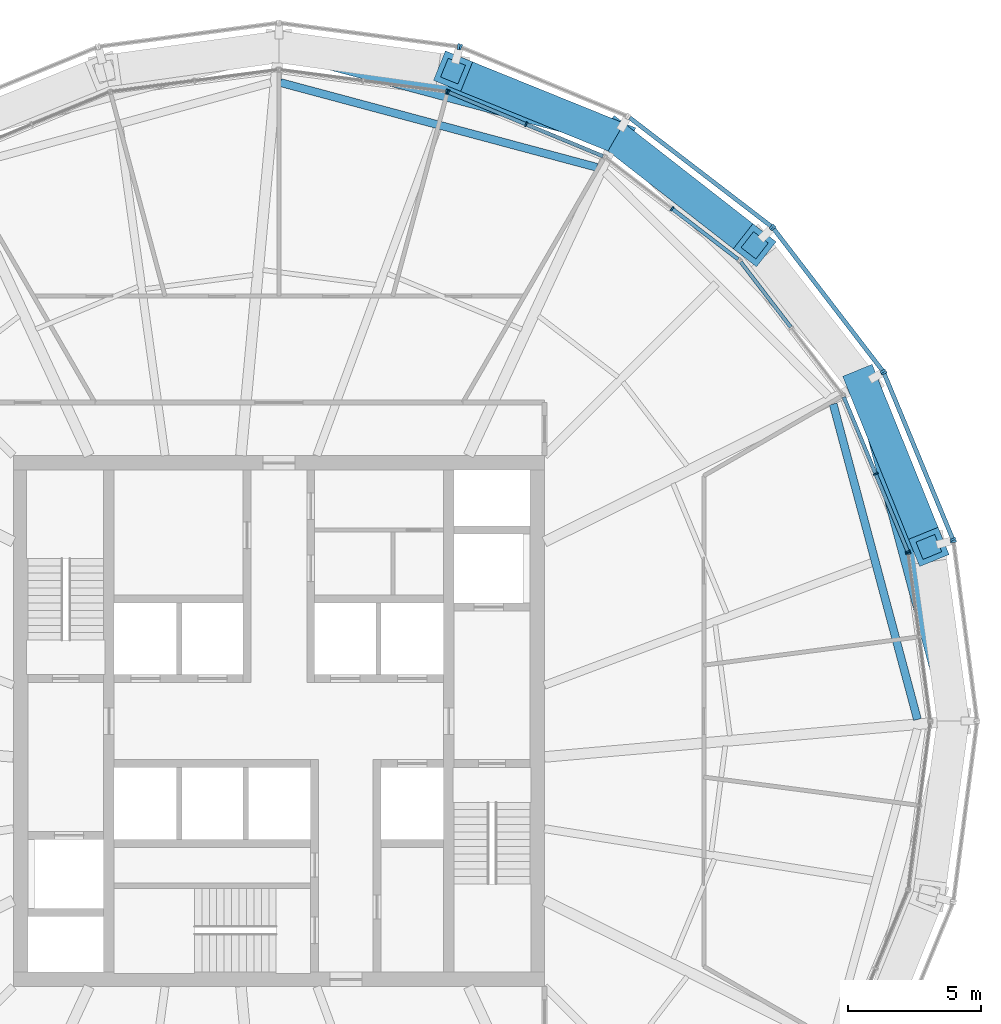
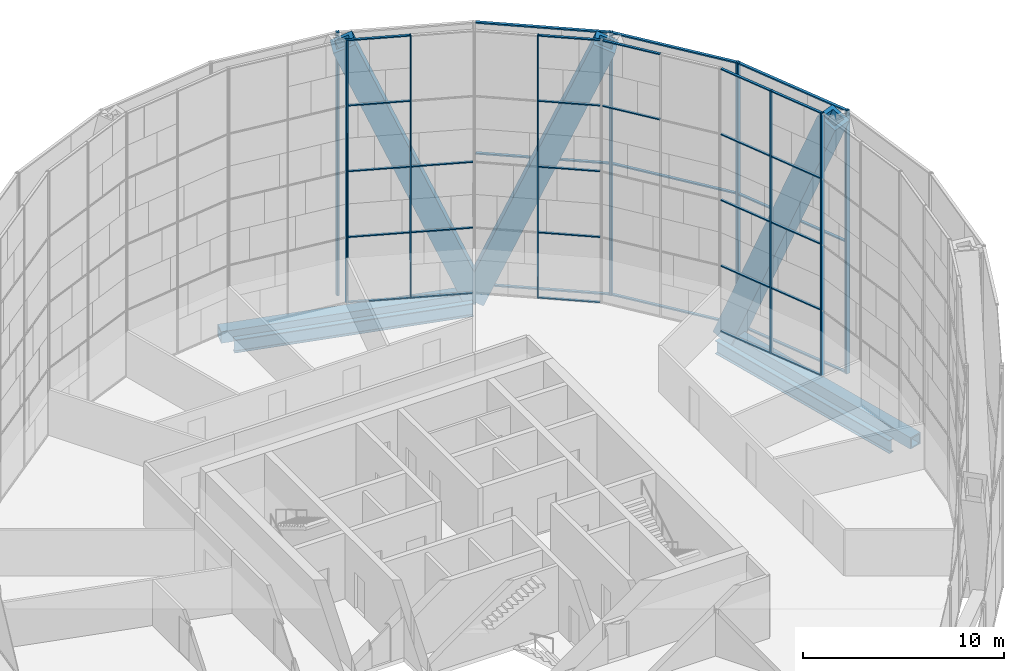
# One storey, part 11 of 29: 52 members, 4 beams, 12 elements without a shape of their own.
"""IFC4 building model written with IfcOpenShell, lengths in metres."""

import ifcopenshell
import ifcopenshell.guid

model = None  # the IFC model being written
_history = None  # IfcOwnerHistory: only IFC2X3 demands one
_inside = {}  # id of a spatial element -> (the spatial element, [elements in it])
_under = {}  # id of a project, library or spatial element -> (it, [spatial elements below it])
_declared = {}  # id of a project -> (the project, [libraries it declares])
_typed = {}  # id of a type object -> (the type object, [elements of that type])
_made_of = {}  # id of a material, layer set ... -> (it, [elements and type objects made of it])


def new_model(schema):
    """Start an empty IFC model of exactly this schema.

    Asked for "IFC4X3", IfcOpenShell would pick the latest addendum, in which some entities
    have other attributes; the version numbers below select the first issue.
    IFC2X3 requires an IfcOwnerHistory on every rooted entity: one is made here for all.
    """
    global model, _history
    if schema == "IFC4X3":
        model = ifcopenshell.file(schema_version=(4, 3, 0, 0))
    else:
        model = ifcopenshell.file(schema=schema)
    _inside.clear()
    _under.clear()
    _declared.clear()
    _typed.clear()
    _made_of.clear()
    _history = None
    if model.schema == "IFC2X3":
        org = make("IfcOrganization", Name="unknown")
        user = make(
            "IfcPersonAndOrganization",
            ThePerson=make("IfcPerson", FamilyName="unknown"),
            TheOrganization=org,
        )
        app = make(
            "IfcApplication",
            ApplicationDeveloper=org,
            Version="unknown",
            ApplicationFullName="unknown",
            ApplicationIdentifier="unknown",
        )
        _history = make(
            "IfcOwnerHistory",
            OwningUser=user,
            OwningApplication=app,
            ChangeAction="ADDED",
            CreationDate=0,
        )
    return model


def make(cls, **values):
    """One entity of the class cls with the attributes given. An attribute that is None is left unset."""
    return model.create_entity(
        cls, **{name: value for name, value in values.items() if value is not None}
    )


def rooted(cls, **values):
    """An entity with a GlobalId (a new one), such as an element, a storey or a relation."""
    return make(cls, GlobalId=ifcopenshell.guid.new(), OwnerHistory=_history, **values)


def si_unit(unit_type, name, prefix=None):
    """IfcSIUnit, for example si_unit("LENGTHUNIT", "METRE", prefix="MILLI")."""
    return make("IfcSIUnit", UnitType=unit_type, Prefix=prefix, Name=name)


def assignment(units):
    """IfcUnitAssignment: the units of a project."""
    return None if units is None else make("IfcUnitAssignment", Units=units)


def point(xyz):
    """IfcCartesianPoint."""
    return None if xyz is None else make("IfcCartesianPoint", Coordinates=xyz)


def direction(xyz):
    """IfcDirection."""
    return None if xyz is None else make("IfcDirection", DirectionRatios=xyz)


def frame(location, z_axis=None, x_axis=None):
    """IfcAxis2Placement3D, a coordinate frame: its origin and axes. An axis left out is left unset."""
    return make(
        "IfcAxis2Placement3D",
        Location=point(location),
        Axis=direction(z_axis),
        RefDirection=direction(x_axis),
    )


def frame_2d(location, x_axis=None):
    """IfcAxis2Placement2D, a coordinate frame in the plane: its origin and x axis."""
    return make(
        "IfcAxis2Placement2D", Location=point(location), RefDirection=direction(x_axis)
    )


def origin():
    """The frame at (0, 0, 0) with its axes left unset."""
    return frame((0.0, 0.0, 0.0))


def origin_2d():
    """The frame at (0, 0) in the plane with its x axis left unset."""
    return frame_2d((0.0, 0.0))


def place(relative_to, where):
    """IfcLocalPlacement: puts the frame where relative to a parent placement (None: the world)."""
    return make(
        "IfcLocalPlacement", PlacementRelTo=relative_to, RelativePlacement=where
    )


def context(
    kind, dimensions, precision=None, world=None, true_north=None, identifier=None
):
    """IfcGeometricRepresentationContext, for example the 3D "Model" context."""
    return make(
        "IfcGeometricRepresentationContext",
        ContextIdentifier=identifier,
        ContextType=kind,
        CoordinateSpaceDimension=dimensions,
        Precision=precision,
        WorldCoordinateSystem=world,
        TrueNorth=true_north,
    )


def subcontext(parent, identifier, kind, view, scale=None):
    """IfcGeometricRepresentationSubContext, for example "Body" below "Model"."""
    return make(
        "IfcGeometricRepresentationSubContext",
        ContextIdentifier=identifier,
        ContextType=kind,
        ParentContext=parent,
        TargetScale=scale,
        TargetView=view,
    )


def project(units=None, contexts=None):
    """IfcProject with its units and contexts."""
    return rooted(
        "IfcProject",
        Name="project",
        RepresentationContexts=contexts,
        UnitsInContext=assignment(units),
    )


def spatial(cls, under=None, at=None, **own):
    """A site, building, storey or space (cls), placed at a placement, below another one or the project."""
    s = rooted(cls, ObjectPlacement=at, **own)
    if under is not None:
        _under.setdefault(under.id(), (under, []))[1].append(s)
    return s


def profile(cls, at=None, kind="AREA", **sizes):
    """A parametric profile (cls). Its sizes go by their IFC names, for example OverallWidth=200.0."""
    return make(cls, ProfileType=kind, Position=at, **sizes)


def rectangle(**sizes):
    """IfcRectangleProfileDef."""
    return profile("IfcRectangleProfileDef", **sizes)


def hollow_rectangle(**sizes):
    """IfcRectangleHollowProfileDef."""
    return profile("IfcRectangleHollowProfileDef", **sizes)


def i_section(**sizes):
    """IfcIShapeProfileDef."""
    return profile("IfcIShapeProfileDef", **sizes)


def extrude(swept, where, along, depth):
    """IfcExtrudedAreaSolid: the profile swept, set in the frame where, extruded along a direction by depth."""
    return make(
        "IfcExtrudedAreaSolid",
        SweptArea=swept,
        Position=where,
        ExtrudedDirection=direction(along),
        Depth=depth,
    )


def shape(context_of_items, identifier, shape_type, items):
    """IfcShapeRepresentation: the items that make up one representation, for example the "Body"."""
    return make(
        "IfcShapeRepresentation",
        ContextOfItems=context_of_items,
        RepresentationIdentifier=identifier,
        RepresentationType=shape_type,
        Items=items,
    )


def material(Name=None, Category=None):
    """IfcMaterial."""
    return make("IfcMaterial", Name=Name, Category=Category)


def material_profile(
    of_material, cross_section, Name=None, Category=None, Priority=None
):
    """IfcMaterialProfile: a cross section and its material."""
    return make(
        "IfcMaterialProfile",
        Name=Name,
        Material=of_material,
        Profile=cross_section,
        Priority=Priority,
        Category=Category,
    )


def profile_set(profiles, Name=None, composite=None):
    """IfcMaterialProfileSet."""
    return make(
        "IfcMaterialProfileSet",
        Name=Name,
        MaterialProfiles=profiles,
        CompositeProfile=composite,
    )


def made_of(thing, what):
    """Note that an element or type object is made of a material, layer set ...; save() writes the relation."""
    if what is not None:
        _made_of.setdefault(what.id(), (what, []))[1].append(thing)
    return thing


def type_object(cls, material=None, **own):
    """A type object (cls), such as IfcWallType, which elements share."""
    return made_of(rooted(cls, **own), material)


def element(
    cls,
    number,
    at=None,
    inside=None,
    cuts=None,
    type_object=None,
    material=None,
    context=None,
    identifier="Body",
    shape_type=None,
    held_by="IfcProductDefinitionShape",
    body=None,
    shapes=None,
    **own,
):
    """One element of the class cls, such as IfcWall. Its Tag is "e" and its number.

    at: its placement. inside: the storey or other place that contains it. cuts: it is an
    opening in that element (IfcRelVoidsElement). A single representation is given by context,
    identifier, shape_type and body (its items); several are given by shapes. held_by: the class
    of the entity that holds the representations. save() writes the other relations.
    """
    e = rooted(cls, Tag="e%d" % number, ObjectPlacement=at, **own)
    if body is not None:
        shapes = [shape(context, identifier, shape_type, body)]
    if shapes is not None:
        e.Representation = make(held_by, Representations=shapes)
    if inside is not None:
        _inside.setdefault(inside.id(), (inside, []))[1].append(e)
    if cuts is not None:
        rooted(
            "IfcRelVoidsElement", RelatingBuildingElement=cuts, RelatedOpeningElement=e
        )
    if type_object is not None:
        _typed.setdefault(type_object.id(), (type_object, []))[1].append(e)
    return made_of(e, material)


def aggregate(whole, parts):
    """IfcRelAggregates: a whole, such as a stair, and the parts it consists of."""
    return rooted("IfcRelAggregates", RelatingObject=whole, RelatedObjects=parts)


def save(model, path):
    """Write the relations noted so far, then the file.

    IfcRelAggregates (storeys below a building ...), IfcRelContainedInSpatialStructure (elements
    in a storey), IfcRelDefinesByType, IfcRelAssociatesMaterial and IfcRelDeclares: one each for
    every whole, place, type object, material and project.
    """
    for whole, parts in _under.values():
        aggregate(whole, parts)
    for where, things in _inside.values():
        rooted(
            "IfcRelContainedInSpatialStructure",
            RelatedElements=things,
            RelatingStructure=where,
        )
    for kind, things in _typed.values():
        rooted("IfcRelDefinesByType", RelatedObjects=things, RelatingType=kind)
    for what, things in _made_of.values():
        rooted("IfcRelAssociatesMaterial", RelatedObjects=things, RelatingMaterial=what)
    for by, libraries in _declared.values():
        rooted("IfcRelDeclares", RelatingContext=by, RelatedDefinitions=libraries)
    model.write(path)


model = new_model("IFC4")

# Units and contexts
model_context = context("Model", 3, precision=1e-05, world=origin(), true_north=direction((0.0, 1.0)))
body_context = subcontext(model_context, "Body", "Model", "MODEL_VIEW")
ifc_project = project(units=[si_unit("LENGTHUNIT", "METRE"), si_unit("AREAUNIT", "SQUARE_METRE"), si_unit("VOLUMEUNIT", "CUBIC_METRE"), si_unit("PLANEANGLEUNIT", "RADIAN"), si_unit("MASSUNIT", "GRAM", prefix="KILO")], contexts=[model_context])

# Site, building, storey
site_placement = place(None, origin())
site = spatial("IfcSite", under=ifc_project, at=site_placement, CompositionType="ELEMENT")
building_placement = place(site_placement, origin())
building = spatial("IfcBuilding", under=site, at=building_placement, Name="Golbaran Civic Tower", CompositionType="ELEMENT")
storey_placement = place(building_placement, frame((0.0, 0.0, 118.0)))
storey = spatial("IfcBuildingStorey", under=building, at=storey_placement, Name="L28", CompositionType="ELEMENT", Elevation=118.0)

# Members
ifc_material_1 = material(Name="Steel S355", Category="steel")
ifc_material_profile_1 = material_profile(ifc_material_1, hollow_rectangle(XDim=1.199951171875, YDim=1.199951171875, WallThickness=0.219970703125, at=origin_2d()), Name="BOX 1200x1200x220")
ifc_profile_set_1 = profile_set([ifc_material_profile_1], Name="Steel S355")
member_type_1 = type_object("IfcMemberType", Name="DIAGRID DIAGONAL BOX 1200x1200x220", PredefinedType="BRACE", material=ifc_profile_set_1)
for number, where, z_axis, x_axis, name in (
    (1, (21.990966796875, 12.696533203125, -0.7099609375), (0.143541229562, -0.3544612565, 0.92398762603), (0.926884217271, 0.375347369478, 0.0), "Diagonal D06-01L L28-L32"),
    (2, (12.696533203125, 21.990966796875, -0.7099609375), (-0.3544612565, 0.143541229562, 0.92398762603), (-0.375347369478, -0.926884217271, 0.0), "Diagonal D06-02R L28-L32"),
    (3, (12.696533203125, 21.990966796875, -0.7099609375), (0.301533756345, -0.235212402726, 0.923987293954), (0.615057929153, 0.788481923563, 0.0), "Diagonal D06-02L L28-L32"),
):
    element("IfcMember", number, at=place(storey_placement, frame(where, z_axis=z_axis, x_axis=x_axis)), inside=storey, type_object=member_type_1, Name=name, PredefinedType="BRACE", context=body_context, shape_type="SweptSolid", body=[
        extrude(hollow_rectangle(XDim=1.199951171875, YDim=1.199951171875, WallThickness=0.219970703125, at=origin_2d()), origin(), (0.0, 0.0, 1.0), 17.316162109375),
    ])

# Beams
ifc_material_profile_2 = material_profile(ifc_material_1, hollow_rectangle(XDim=0.699951171875, YDim=0.699951171875, WallThickness=0.080078125, at=origin_2d()), Name="BOX 700x700x80")
ifc_profile_set_2 = profile_set([ifc_material_profile_2], Name="Steel S355")
beam_type_1 = type_object("IfcBeamType", Name="DIAGRID RING TIE BOX 700x700x80", PredefinedType="BEAM", material=ifc_profile_set_2)
for number, where, z_axis, x_axis, name in (
    (4, (25.39306640625, 0.0, -0.7099609375), (-0.258824282894, 0.965924422812, 0.0), (-0.965924422812, -0.258824282894, 0.0), "Ring tie 0.00 L28"),
    (5, (12.696533203125, 21.990966796875, -0.7099609375), (-0.965924422812, 0.258824282894, 0.0), (-0.258824282894, -0.965924422812, 0.0), "Ring tie 60.00 L28"),
):
    element("IfcBeam", number, at=place(storey_placement, frame(where, z_axis=z_axis, x_axis=x_axis)), inside=storey, type_object=beam_type_1, Name=name, PredefinedType="BEAM", context=body_context, shape_type="SweptSolid", body=[
        extrude(hollow_rectangle(XDim=0.699951171875, YDim=0.699951171875, WallThickness=0.080078125, at=origin_2d()), origin(), (0.0, 0.0, 1.0), 13.14453125),
    ])
ifc_material_profile_3 = material_profile(ifc_material_1, i_section(OverallWidth=0.300048828125, OverallDepth=0.800048828125, WebThickness=0.017578125, FlangeThickness=0.032958984375, FilletRadius=0.030029296875, at=origin_2d()), Name="HEB 800")
ifc_profile_set_3 = profile_set([ifc_material_profile_3], Name="Steel S355")
beam_type_2 = type_object("IfcBeamType", Name="EDGE BEAM HEB 800", PredefinedType="BEAM", material=ifc_profile_set_3)
beam_1_placement = place(storey_placement, frame((24.046630859375, 0.0625, -0.60009765625), z_axis=(-0.258174269589, 0.966098362757, 0.0), x_axis=(-0.966098362757, -0.258174269589, 0.0)))
element("IfcBeam", 6, at=beam_1_placement, inside=storey, type_object=beam_type_2, Name="Edge beam 0.00 L28", PredefinedType="BEAM", context=body_context, shape_type="SweptSolid", body=[
    extrude(i_section(OverallWidth=0.300048828125, OverallDepth=0.800048828125, WebThickness=0.017578125, FlangeThickness=0.032958984375, FilletRadius=0.030029296875, at=origin_2d()), origin(), (0.0, 0.0, 1.0), 12.295166015625),
])
beam_2_placement = place(storey_placement, frame((11.971923828125, 20.8544921875, -0.60009765625), z_axis=(-0.965940985164, 0.258762464781, 0.0), x_axis=(-0.258762464781, -0.965940985164, 0.0)))
element("IfcBeam", 7, at=beam_2_placement, inside=storey, type_object=beam_type_2, Name="Edge beam 60.00 L28", PredefinedType="BEAM", context=body_context, shape_type="SweptSolid", body=[
    extrude(i_section(OverallWidth=0.300048828125, OverallDepth=0.800048828125, WebThickness=0.017578125, FlangeThickness=0.032958984375, FilletRadius=0.030029296875, at=origin_2d()), origin(), (0.0, 0.0, 1.0), 12.336181640625),
])

# Curtain wall, member
ifc_material_2 = material(Name="Aluminium and glass", Category="aluminium")
curtain_wall_type_1 = type_object("IfcCurtainWallType", Name="INNER SKIN CURTAIN WALL", PredefinedType="NOTDEFINED", material=ifc_material_2)
curtain_wall_1_placement = place(storey_placement, origin())
curtain_wall_1 = element("IfcCurtainWall", 8, at=curtain_wall_1_placement, inside=storey, type_object=curtain_wall_type_1, Name="Inner skin L28 facet 1 CW1", ObjectType="INNER SKIN", PredefinedType="USERDEFINED")
ifc_material_3 = material(Name="Aluminium", Category="aluminium")
ifc_material_profile_4 = material_profile(ifc_material_3, rectangle(XDim=0.179931640625, YDim=0.06494140625, at=origin_2d()), Name="INNER SKIN CURTAIN WALL MULLION")
ifc_profile_set_4 = profile_set([ifc_material_profile_4], Name="Aluminium")
member_type_2 = type_object("IfcMemberType", Name="INNER SKIN CURTAIN WALL MULLION", PredefinedType="MULLION", material=ifc_profile_set_4)
member_1_placement = place(storey_placement, frame((23.7021484375, 6.317626953125, 0.0), z_axis=(0.0, 0.0, 1.0), x_axis=(-0.991444861372, -0.130526192237, 0.0)))
member_1 = element("IfcMember", 9, at=member_1_placement, type_object=member_type_2, Name="CW1 mullion 3", PredefinedType="MULLION", context=body_context, shape_type="SweptSolid", body=[
    extrude(rectangle(XDim=0.179931640625, YDim=0.06494140625, at=origin_2d()), origin(), (0.0, 0.0, 1.0), 16.0),
])
aggregate(curtain_wall_1, [member_1])

# Curtain wall, members
curtain_wall_2_placement = place(storey_placement, origin())
curtain_wall_2 = element("IfcCurtainWall", 10, at=curtain_wall_2_placement, inside=storey, type_object=curtain_wall_type_1, Name="Inner skin L28 facet 2 CW1", ObjectType="INNER SKIN", PredefinedType="USERDEFINED")
member_2_placement = place(storey_placement, frame((23.685546875, 6.3798828125, 0.0), z_axis=(0.0, 0.0, 1.0), x_axis=(-0.923879532485, -0.38268343243, 0.0)))
member_2 = element("IfcMember", 11, at=member_2_placement, type_object=member_type_2, Name="CW1 mullion 1", PredefinedType="MULLION", context=body_context, shape_type="SweptSolid", body=[
    extrude(rectangle(XDim=0.179931640625, YDim=0.06494140625, at=origin_2d()), origin(), (0.0, 0.0, 1.0), 16.0),
])
member_3_placement = place(storey_placement, frame((22.47265625, 9.308349609375, 0.0), z_axis=(0.0, 0.0, 1.0), x_axis=(-0.923879532485, -0.38268343243, 0.0)))
member_3 = element("IfcMember", 12, at=member_3_placement, type_object=member_type_2, Name="CW1 mullion 2", PredefinedType="MULLION", context=body_context, shape_type="SweptSolid", body=[
    extrude(rectangle(XDim=0.179931640625, YDim=0.06494140625, at=origin_2d()), origin(), (0.0, 0.0, 1.0), 16.0),
])

# Curtain wall, member
curtain_wall_3_placement = place(storey_placement, origin())
curtain_wall_3 = element("IfcCurtainWall", 13, at=curtain_wall_3_placement, inside=storey, type_object=curtain_wall_type_1, Name="Inner skin L28 facet 4 CW1", ObjectType="INNER SKIN", PredefinedType="USERDEFINED")
member_4_placement = place(storey_placement, frame((14.8076171875, 19.297607421875, 0.0), z_axis=(0.0, 0.0, 1.0), x_axis=(-0.608761428898, -0.793353340376, 0.0)))
member_4 = element("IfcMember", 14, at=member_4_placement, type_object=member_type_2, Name="CW1 mullion 2", PredefinedType="MULLION", context=body_context, shape_type="SweptSolid", body=[
    extrude(rectangle(XDim=0.179931640625, YDim=0.06494140625, at=origin_2d()), origin(), (0.0, 0.0, 1.0), 16.0),
])

# Curtain wall, members
curtain_wall_4_placement = place(storey_placement, origin())
curtain_wall_4 = element("IfcCurtainWall", 15, at=curtain_wall_4_placement, inside=storey, type_object=curtain_wall_type_1, Name="Inner skin L28 facet 5 CW1", ObjectType="INNER SKIN", PredefinedType="USERDEFINED")
member_5_placement = place(storey_placement, frame((9.308349609375, 22.47265625, 0.0), z_axis=(0.0, 0.0, 1.0), x_axis=(-0.38268343243, -0.923879532485, 0.0)))
member_5 = element("IfcMember", 16, at=member_5_placement, type_object=member_type_2, Name="CW1 mullion 2", PredefinedType="MULLION", context=body_context, shape_type="SweptSolid", body=[
    extrude(rectangle(XDim=0.179931640625, YDim=0.06494140625, at=origin_2d()), origin(), (0.0, 0.0, 1.0), 16.0),
])
member_6_placement = place(storey_placement, frame((6.3798828125, 23.685546875, 0.0), z_axis=(0.0, 0.0, 1.0), x_axis=(-0.38268343243, -0.923879532485, 0.0)))
member_6 = element("IfcMember", 17, at=member_6_placement, type_object=member_type_2, Name="CW1 mullion 3", PredefinedType="MULLION", context=body_context, shape_type="SweptSolid", body=[
    extrude(rectangle(XDim=0.179931640625, YDim=0.06494140625, at=origin_2d()), origin(), (0.0, 0.0, 1.0), 16.0),
])

# Curtain wall, member
curtain_wall_5_placement = place(storey_placement, origin())
curtain_wall_5 = element("IfcCurtainWall", 18, at=curtain_wall_5_placement, inside=storey, type_object=curtain_wall_type_1, Name="Inner skin L28 facet 6 CW1", ObjectType="INNER SKIN", PredefinedType="USERDEFINED")
member_7_placement = place(storey_placement, frame((6.317626953125, 23.7021484375, 0.0), z_axis=(0.0, 0.0, 1.0), x_axis=(-0.130526192237, -0.991444861372, 0.0)))
member_7 = element("IfcMember", 19, at=member_7_placement, type_object=member_type_2, Name="CW1 mullion 1", PredefinedType="MULLION", context=body_context, shape_type="SweptSolid", body=[
    extrude(rectangle(XDim=0.179931640625, YDim=0.06494140625, at=origin_2d()), origin(), (0.0, 0.0, 1.0), 16.0),
])
aggregate(curtain_wall_5, [member_7])

# Member
ifc_material_profile_5 = material_profile(ifc_material_3, rectangle(XDim=0.139892578125, YDim=0.06494140625, at=origin_2d()), Name="INNER SKIN CURTAIN WALL TRANSOM")
ifc_profile_set_5 = profile_set([ifc_material_profile_5], Name="Aluminium")
member_type_3 = type_object("IfcMemberType", Name="INNER SKIN CURTAIN WALL TRANSOM", PredefinedType="USERDEFINED", material=ifc_profile_set_5)
member_8_placement = place(storey_placement, frame((23.673095703125, 6.409912109375, 0.032470703125), z_axis=(-0.382710605355, 0.923868276622, 0.0), x_axis=(-0.923868276622, -0.382710605355, 0.0)))
member_8 = element("IfcMember", 20, at=member_8_placement, type_object=member_type_3, Name="CW1 transom 1.1", ObjectType="TRANSOM", PredefinedType="USERDEFINED", context=body_context, shape_type="SweptSolid", body=[
    extrude(rectangle(XDim=0.139892578125, YDim=0.06494140625, at=origin_2d()), origin(), (0.0, 0.0, 1.0), 3.104736328125),
])

member_9_placement = place(storey_placement, frame((23.673095703125, 6.409912109375, 4.0), z_axis=(-0.382710605355, 0.923868276622, 0.0), x_axis=(-0.923868276622, -0.382710605355, 0.0)))
member_9 = element("IfcMember", 21, at=member_9_placement, type_object=member_type_3, Name="CW1 transom 1.2", ObjectType="TRANSOM", PredefinedType="USERDEFINED", context=body_context, shape_type="SweptSolid", body=[
    extrude(rectangle(XDim=0.139892578125, YDim=0.06494140625, at=origin_2d()), origin(), (0.0, 0.0, 1.0), 3.104736328125),
])

member_10_placement = place(storey_placement, frame((23.673095703125, 6.409912109375, 8.0), z_axis=(-0.382710605355, 0.923868276622, 0.0), x_axis=(-0.923868276622, -0.382710605355, 0.0)))
member_10 = element("IfcMember", 22, at=member_10_placement, type_object=member_type_3, Name="CW1 transom 1.3", ObjectType="TRANSOM", PredefinedType="USERDEFINED", context=body_context, shape_type="SweptSolid", body=[
    extrude(rectangle(XDim=0.139892578125, YDim=0.06494140625, at=origin_2d()), origin(), (0.0, 0.0, 1.0), 3.104736328125),
])

member_11_placement = place(storey_placement, frame((23.673095703125, 6.409912109375, 12.0), z_axis=(-0.382710605355, 0.923868276622, 0.0), x_axis=(-0.923868276622, -0.382710605355, 0.0)))
member_11 = element("IfcMember", 23, at=member_11_placement, type_object=member_type_3, Name="CW1 transom 1.4", ObjectType="TRANSOM", PredefinedType="USERDEFINED", context=body_context, shape_type="SweptSolid", body=[
    extrude(rectangle(XDim=0.139892578125, YDim=0.06494140625, at=origin_2d()), origin(), (0.0, 0.0, 1.0), 3.104736328125),
])

member_12_placement = place(storey_placement, frame((23.673095703125, 6.409912109375, 15.967529296875), z_axis=(-0.382710605355, 0.923868276622, 0.0), x_axis=(-0.923868276622, -0.382710605355, 0.0)))
member_12 = element("IfcMember", 24, at=member_12_placement, type_object=member_type_3, Name="CW1 transom 1.5", ObjectType="TRANSOM", PredefinedType="USERDEFINED", context=body_context, shape_type="SweptSolid", body=[
    extrude(rectangle(XDim=0.139892578125, YDim=0.06494140625, at=origin_2d()), origin(), (0.0, 0.0, 1.0), 3.104736328125),
])

member_13_placement = place(storey_placement, frame((22.460205078125, 9.33837890625, 0.032470703125), z_axis=(-0.382682804327, 0.923879792653, 0.0), x_axis=(-0.923879792653, -0.382682804327, 0.0)))
member_13 = element("IfcMember", 25, at=member_13_placement, type_object=member_type_3, Name="CW1 transom 2.1", ObjectType="TRANSOM", PredefinedType="USERDEFINED", context=body_context, shape_type="SweptSolid", body=[
    extrude(rectangle(XDim=0.139892578125, YDim=0.06494140625, at=origin_2d()), origin(), (0.0, 0.0, 1.0), 3.10498046875),
])

member_14_placement = place(storey_placement, frame((22.460205078125, 9.33837890625, 4.0), z_axis=(-0.382682804327, 0.923879792653, 0.0), x_axis=(-0.923879792653, -0.382682804327, 0.0)))
member_14 = element("IfcMember", 26, at=member_14_placement, type_object=member_type_3, Name="CW1 transom 2.2", ObjectType="TRANSOM", PredefinedType="USERDEFINED", context=body_context, shape_type="SweptSolid", body=[
    extrude(rectangle(XDim=0.139892578125, YDim=0.06494140625, at=origin_2d()), origin(), (0.0, 0.0, 1.0), 3.10498046875),
])

member_15_placement = place(storey_placement, frame((22.460205078125, 9.33837890625, 8.0), z_axis=(-0.382682804327, 0.923879792653, 0.0), x_axis=(-0.923879792653, -0.382682804327, 0.0)))
member_15 = element("IfcMember", 27, at=member_15_placement, type_object=member_type_3, Name="CW1 transom 2.3", ObjectType="TRANSOM", PredefinedType="USERDEFINED", context=body_context, shape_type="SweptSolid", body=[
    extrude(rectangle(XDim=0.139892578125, YDim=0.06494140625, at=origin_2d()), origin(), (0.0, 0.0, 1.0), 3.10498046875),
])

member_16_placement = place(storey_placement, frame((22.460205078125, 9.33837890625, 12.0), z_axis=(-0.382682804327, 0.923879792653, 0.0), x_axis=(-0.923879792653, -0.382682804327, 0.0)))
member_16 = element("IfcMember", 28, at=member_16_placement, type_object=member_type_3, Name="CW1 transom 2.4", ObjectType="TRANSOM", PredefinedType="USERDEFINED", context=body_context, shape_type="SweptSolid", body=[
    extrude(rectangle(XDim=0.139892578125, YDim=0.06494140625, at=origin_2d()), origin(), (0.0, 0.0, 1.0), 3.10498046875),
])

member_17_placement = place(storey_placement, frame((22.460205078125, 9.33837890625, 15.967529296875), z_axis=(-0.382682804327, 0.923879792653, 0.0), x_axis=(-0.923879792653, -0.382682804327, 0.0)))
member_17 = element("IfcMember", 29, at=member_17_placement, type_object=member_type_3, Name="CW1 transom 2.5", ObjectType="TRANSOM", PredefinedType="USERDEFINED", context=body_context, shape_type="SweptSolid", body=[
    extrude(rectangle(XDim=0.139892578125, YDim=0.06494140625, at=origin_2d()), origin(), (0.0, 0.0, 1.0), 3.10498046875),
])

aggregate(curtain_wall_2, [member_2, member_3, member_8, member_9, member_10, member_11, member_12, member_13, member_14, member_15, member_16, member_17])

# Curtain wall, members
curtain_wall_6_placement = place(storey_placement, origin())
curtain_wall_6 = element("IfcCurtainWall", 30, at=curtain_wall_6_placement, inside=storey, type_object=curtain_wall_type_1, Name="Inner skin L28 facet 3 CW1", ObjectType="INNER SKIN", PredefinedType="USERDEFINED")
member_18_placement = place(storey_placement, frame((19.27783203125, 14.833251953125, 12.0), z_axis=(-0.60874513146, 0.793365845574, 0.0), x_axis=(-0.793365845574, -0.60874513146, 0.0)))
member_18 = element("IfcMember", 31, at=member_18_placement, type_object=member_type_3, Name="CW1 transom 2.4", ObjectType="TRANSOM", PredefinedType="USERDEFINED", context=body_context, shape_type="SweptSolid", body=[
    extrude(rectangle(XDim=0.139892578125, YDim=0.06494140625, at=origin_2d()), origin(), (0.0, 0.0, 1.0), 3.10498046875),
])
member_19_placement = place(storey_placement, frame((19.27783203125, 14.833251953125, 15.967529296875), z_axis=(-0.60874513146, 0.793365845574, 0.0), x_axis=(-0.793365845574, -0.60874513146, 0.0)))
member_19 = element("IfcMember", 32, at=member_19_placement, type_object=member_type_3, Name="CW1 transom 2.5", ObjectType="TRANSOM", PredefinedType="USERDEFINED", context=body_context, shape_type="SweptSolid", body=[
    extrude(rectangle(XDim=0.139892578125, YDim=0.06494140625, at=origin_2d()), origin(), (0.0, 0.0, 1.0), 3.10498046875),
])
aggregate(curtain_wall_6, [member_18, member_19])

# Member
member_20_placement = place(storey_placement, frame((17.296630859375, 17.3876953125, 0.032470703125), z_axis=(-0.793365845574, 0.60874513146, 0.0), x_axis=(-0.60874513146, -0.793365845574, 0.0)))
member_20 = element("IfcMember", 33, at=member_20_placement, type_object=member_type_3, Name="CW1 transom 1.1", ObjectType="TRANSOM", PredefinedType="USERDEFINED", context=body_context, shape_type="SweptSolid", body=[
    extrude(rectangle(XDim=0.139892578125, YDim=0.06494140625, at=origin_2d()), origin(), (0.0, 0.0, 1.0), 3.10498046875),
])

member_21_placement = place(storey_placement, frame((17.296630859375, 17.3876953125, 4.0), z_axis=(-0.793365845574, 0.60874513146, 0.0), x_axis=(-0.60874513146, -0.793365845574, 0.0)))
member_21 = element("IfcMember", 34, at=member_21_placement, type_object=member_type_3, Name="CW1 transom 1.2", ObjectType="TRANSOM", PredefinedType="USERDEFINED", context=body_context, shape_type="SweptSolid", body=[
    extrude(rectangle(XDim=0.139892578125, YDim=0.06494140625, at=origin_2d()), origin(), (0.0, 0.0, 1.0), 3.10498046875),
])

member_22_placement = place(storey_placement, frame((17.296630859375, 17.3876953125, 8.0), z_axis=(-0.793365845574, 0.60874513146, 0.0), x_axis=(-0.60874513146, -0.793365845574, 0.0)))
member_22 = element("IfcMember", 35, at=member_22_placement, type_object=member_type_3, Name="CW1 transom 1.3", ObjectType="TRANSOM", PredefinedType="USERDEFINED", context=body_context, shape_type="SweptSolid", body=[
    extrude(rectangle(XDim=0.139892578125, YDim=0.06494140625, at=origin_2d()), origin(), (0.0, 0.0, 1.0), 3.10498046875),
])

member_23_placement = place(storey_placement, frame((17.296630859375, 17.3876953125, 12.0), z_axis=(-0.793365845574, 0.60874513146, 0.0), x_axis=(-0.60874513146, -0.793365845574, 0.0)))
member_23 = element("IfcMember", 36, at=member_23_placement, type_object=member_type_3, Name="CW1 transom 1.4", ObjectType="TRANSOM", PredefinedType="USERDEFINED", context=body_context, shape_type="SweptSolid", body=[
    extrude(rectangle(XDim=0.139892578125, YDim=0.06494140625, at=origin_2d()), origin(), (0.0, 0.0, 1.0), 3.10498046875),
])

member_24_placement = place(storey_placement, frame((17.296630859375, 17.3876953125, 15.967529296875), z_axis=(-0.793365845574, 0.60874513146, 0.0), x_axis=(-0.60874513146, -0.793365845574, 0.0)))
member_24 = element("IfcMember", 37, at=member_24_placement, type_object=member_type_3, Name="CW1 transom 1.5", ObjectType="TRANSOM", PredefinedType="USERDEFINED", context=body_context, shape_type="SweptSolid", body=[
    extrude(rectangle(XDim=0.139892578125, YDim=0.06494140625, at=origin_2d()), origin(), (0.0, 0.0, 1.0), 3.10498046875),
])

aggregate(curtain_wall_3, [member_4, member_20, member_21, member_22, member_23, member_24])

member_25_placement = place(storey_placement, frame((12.20703125, 21.27197265625, 0.032470703125), z_axis=(-0.923879792653, 0.382682804327, 0.0), x_axis=(-0.382682804327, -0.923879792653, 0.0)))
member_25 = element("IfcMember", 38, at=member_25_placement, type_object=member_type_3, Name="CW1 transom 1.1", ObjectType="TRANSOM", PredefinedType="USERDEFINED", context=body_context, shape_type="SweptSolid", body=[
    extrude(rectangle(XDim=0.139892578125, YDim=0.06494140625, at=origin_2d()), origin(), (0.0, 0.0, 1.0), 3.10498046875),
])

member_26_placement = place(storey_placement, frame((12.20703125, 21.27197265625, 4.0), z_axis=(-0.923879792653, 0.382682804327, 0.0), x_axis=(-0.382682804327, -0.923879792653, 0.0)))
member_26 = element("IfcMember", 39, at=member_26_placement, type_object=member_type_3, Name="CW1 transom 1.2", ObjectType="TRANSOM", PredefinedType="USERDEFINED", context=body_context, shape_type="SweptSolid", body=[
    extrude(rectangle(XDim=0.139892578125, YDim=0.06494140625, at=origin_2d()), origin(), (0.0, 0.0, 1.0), 3.10498046875),
])

member_27_placement = place(storey_placement, frame((12.20703125, 21.27197265625, 8.0), z_axis=(-0.923879792653, 0.382682804327, 0.0), x_axis=(-0.382682804327, -0.923879792653, 0.0)))
member_27 = element("IfcMember", 40, at=member_27_placement, type_object=member_type_3, Name="CW1 transom 1.3", ObjectType="TRANSOM", PredefinedType="USERDEFINED", context=body_context, shape_type="SweptSolid", body=[
    extrude(rectangle(XDim=0.139892578125, YDim=0.06494140625, at=origin_2d()), origin(), (0.0, 0.0, 1.0), 3.10498046875),
])

member_28_placement = place(storey_placement, frame((9.2783203125, 22.48486328125, 0.032470703125), z_axis=(-0.923868276622, 0.382710605355, 0.0), x_axis=(-0.382710605355, -0.923868276622, 0.0)))
member_28 = element("IfcMember", 41, at=member_28_placement, type_object=member_type_3, Name="CW1 transom 2.1", ObjectType="TRANSOM", PredefinedType="USERDEFINED", context=body_context, shape_type="SweptSolid", body=[
    extrude(rectangle(XDim=0.139892578125, YDim=0.06494140625, at=origin_2d()), origin(), (0.0, 0.0, 1.0), 3.104736328125),
])

member_29_placement = place(storey_placement, frame((9.2783203125, 22.48486328125, 4.0), z_axis=(-0.923868276622, 0.382710605355, 0.0), x_axis=(-0.382710605355, -0.923868276622, 0.0)))
member_29 = element("IfcMember", 42, at=member_29_placement, type_object=member_type_3, Name="CW1 transom 2.2", ObjectType="TRANSOM", PredefinedType="USERDEFINED", context=body_context, shape_type="SweptSolid", body=[
    extrude(rectangle(XDim=0.139892578125, YDim=0.06494140625, at=origin_2d()), origin(), (0.0, 0.0, 1.0), 3.104736328125),
])

member_30_placement = place(storey_placement, frame((9.2783203125, 22.48486328125, 8.0), z_axis=(-0.923868276622, 0.382710605355, 0.0), x_axis=(-0.382710605355, -0.923868276622, 0.0)))
member_30 = element("IfcMember", 43, at=member_30_placement, type_object=member_type_3, Name="CW1 transom 2.3", ObjectType="TRANSOM", PredefinedType="USERDEFINED", context=body_context, shape_type="SweptSolid", body=[
    extrude(rectangle(XDim=0.139892578125, YDim=0.06494140625, at=origin_2d()), origin(), (0.0, 0.0, 1.0), 3.104736328125),
])

member_31_placement = place(storey_placement, frame((9.2783203125, 22.48486328125, 12.0), z_axis=(-0.923868276622, 0.382710605355, 0.0), x_axis=(-0.382710605355, -0.923868276622, 0.0)))
member_31 = element("IfcMember", 44, at=member_31_placement, type_object=member_type_3, Name="CW1 transom 2.4", ObjectType="TRANSOM", PredefinedType="USERDEFINED", context=body_context, shape_type="SweptSolid", body=[
    extrude(rectangle(XDim=0.139892578125, YDim=0.06494140625, at=origin_2d()), origin(), (0.0, 0.0, 1.0), 3.104736328125),
])

member_32_placement = place(storey_placement, frame((9.2783203125, 22.48486328125, 15.967529296875), z_axis=(-0.923868276622, 0.382710605355, 0.0), x_axis=(-0.382710605355, -0.923868276622, 0.0)))
member_32 = element("IfcMember", 45, at=member_32_placement, type_object=member_type_3, Name="CW1 transom 2.5", ObjectType="TRANSOM", PredefinedType="USERDEFINED", context=body_context, shape_type="SweptSolid", body=[
    extrude(rectangle(XDim=0.139892578125, YDim=0.06494140625, at=origin_2d()), origin(), (0.0, 0.0, 1.0), 3.104736328125),
])

aggregate(curtain_wall_4, [member_5, member_6, member_25, member_26, member_27, member_28, member_29, member_30, member_31, member_32])

# Curtain wall, member
curtain_wall_type_2 = type_object("IfcCurtainWallType", Name="OUTER SKIN TERRACOTTA SCREEN", PredefinedType="NOTDEFINED", material=ifc_material_2)
curtain_wall_7_placement = place(storey_placement, origin())
curtain_wall_7 = element("IfcCurtainWall", 46, at=curtain_wall_7_placement, inside=storey, type_object=curtain_wall_type_2, Name="Outer skin L28 facet 1 CW3", ObjectType="OUTER SKIN", PredefinedType="USERDEFINED")
ifc_material_profile_6 = material_profile(ifc_material_3, rectangle(XDim=0.219970703125, YDim=0.080078125, at=origin_2d()), Name="OUTER SKIN TERRACOTTA SCREEN MULLION")
ifc_profile_set_6 = profile_set([ifc_material_profile_6], Name="Aluminium")
member_type_4 = type_object("IfcMemberType", Name="OUTER SKIN TERRACOTTA SCREEN MULLION", PredefinedType="MULLION", material=ifc_profile_set_6)
member_33_placement = place(storey_placement, frame((25.40234375, 6.765380859375, -0.7099609375), z_axis=(0.0, 0.0, 1.0), x_axis=(-0.991444861381, -0.130526192168, 0.0)))
member_33 = element("IfcMember", 47, at=member_33_placement, type_object=member_type_4, Name="CW3 mullion 2", PredefinedType="MULLION", context=body_context, shape_type="SweptSolid", body=[
    extrude(rectangle(XDim=0.219970703125, YDim=0.080078125, at=origin_2d()), origin(), (0.0, 0.0, 1.0), 16.0),
])
aggregate(curtain_wall_7, [member_33])

# Curtain wall, members
curtain_wall_8_placement = place(storey_placement, origin())
curtain_wall_8 = element("IfcCurtainWall", 48, at=curtain_wall_8_placement, inside=storey, type_object=curtain_wall_type_2, Name="Outer skin L28 facet 2 CW3", ObjectType="OUTER SKIN", PredefinedType="USERDEFINED")
member_34_placement = place(storey_placement, frame((25.3818359375, 6.842041015625, -0.7099609375), z_axis=(0.0, 0.0, 1.0), x_axis=(-0.923879532505, -0.382683432381, 0.0)))
member_34 = element("IfcMember", 49, at=member_34_placement, type_object=member_type_4, Name="CW3 mullion 1", PredefinedType="MULLION", context=body_context, shape_type="SweptSolid", body=[
    extrude(rectangle(XDim=0.219970703125, YDim=0.080078125, at=origin_2d()), origin(), (0.0, 0.0, 1.0), 16.0),
])
member_35_placement = place(storey_placement, frame((22.78564453125, 13.109619140625, -0.7099609375), z_axis=(0.0, 0.0, 1.0), x_axis=(-0.923879532505, -0.382683432381, 0.0)))
member_35 = element("IfcMember", 50, at=member_35_placement, type_object=member_type_4, Name="CW3 mullion 2", PredefinedType="MULLION", context=body_context, shape_type="SweptSolid", body=[
    extrude(rectangle(XDim=0.219970703125, YDim=0.080078125, at=origin_2d()), origin(), (0.0, 0.0, 1.0), 16.0),
])

curtain_wall_9_placement = place(storey_placement, origin())
curtain_wall_9 = element("IfcCurtainWall", 51, at=curtain_wall_9_placement, inside=storey, type_object=curtain_wall_type_2, Name="Outer skin L28 facet 3 CW3", ObjectType="OUTER SKIN", PredefinedType="USERDEFINED")
member_36_placement = place(storey_placement, frame((22.74609375, 13.17822265625, -0.7099609375), z_axis=(0.0, 0.0, 1.0), x_axis=(-0.793353340302, -0.608761428995, 0.0)))
member_36 = element("IfcMember", 52, at=member_36_placement, type_object=member_type_4, Name="CW3 mullion 1", PredefinedType="MULLION", context=body_context, shape_type="SweptSolid", body=[
    extrude(rectangle(XDim=0.219970703125, YDim=0.080078125, at=origin_2d()), origin(), (0.0, 0.0, 1.0), 16.0),
])
member_37_placement = place(storey_placement, frame((18.6162109375, 18.560302734375, -0.7099609375), z_axis=(0.0, 0.0, 1.0), x_axis=(-0.793353340302, -0.608761428995, 0.0)))
member_37 = element("IfcMember", 53, at=member_37_placement, type_object=member_type_4, Name="CW3 mullion 2", PredefinedType="MULLION", context=body_context, shape_type="SweptSolid", body=[
    extrude(rectangle(XDim=0.219970703125, YDim=0.080078125, at=origin_2d()), origin(), (0.0, 0.0, 1.0), 16.0),
])

# Curtain wall, member
curtain_wall_10_placement = place(storey_placement, origin())
curtain_wall_10 = element("IfcCurtainWall", 54, at=curtain_wall_10_placement, inside=storey, type_object=curtain_wall_type_2, Name="Outer skin L28 facet 4 CW3", ObjectType="OUTER SKIN", PredefinedType="USERDEFINED")
member_38_placement = place(storey_placement, frame((18.560302734375, 18.6162109375, -0.7099609375), z_axis=(0.0, 0.0, 1.0), x_axis=(-0.608761428995, -0.793353340302, 0.0)))
member_38 = element("IfcMember", 55, at=member_38_placement, type_object=member_type_4, Name="CW3 mullion 1", PredefinedType="MULLION", context=body_context, shape_type="SweptSolid", body=[
    extrude(rectangle(XDim=0.219970703125, YDim=0.080078125, at=origin_2d()), origin(), (0.0, 0.0, 1.0), 16.0),
])

curtain_wall_11_placement = place(storey_placement, origin())
curtain_wall_11 = element("IfcCurtainWall", 56, at=curtain_wall_11_placement, inside=storey, type_object=curtain_wall_type_2, Name="Outer skin L28 facet 5 CW3", ObjectType="OUTER SKIN", PredefinedType="USERDEFINED")
member_39_placement = place(storey_placement, frame((6.842041015625, 25.3818359375, -0.7099609375), z_axis=(0.0, 0.0, 1.0), x_axis=(-0.382683432381, -0.923879532505, 0.0)))
member_39 = element("IfcMember", 57, at=member_39_placement, type_object=member_type_4, Name="CW3 mullion 2", PredefinedType="MULLION", context=body_context, shape_type="SweptSolid", body=[
    extrude(rectangle(XDim=0.219970703125, YDim=0.080078125, at=origin_2d()), origin(), (0.0, 0.0, 1.0), 16.0),
])
aggregate(curtain_wall_11, [member_39])

curtain_wall_12_placement = place(storey_placement, origin())
curtain_wall_12 = element("IfcCurtainWall", 58, at=curtain_wall_12_placement, inside=storey, type_object=curtain_wall_type_2, Name="Outer skin L28 facet 6 CW3", ObjectType="OUTER SKIN", PredefinedType="USERDEFINED")
member_40_placement = place(storey_placement, frame((6.765380859375, 25.40234375, -0.7099609375), z_axis=(0.0, 0.0, 1.0), x_axis=(-0.130526192168, -0.991444861381, 0.0)))
member_40 = element("IfcMember", 59, at=member_40_placement, type_object=member_type_4, Name="CW3 mullion 1", PredefinedType="MULLION", context=body_context, shape_type="SweptSolid", body=[
    extrude(rectangle(XDim=0.219970703125, YDim=0.080078125, at=origin_2d()), origin(), (0.0, 0.0, 1.0), 16.0),
])
aggregate(curtain_wall_12, [member_40])

# Member
ifc_material_profile_7 = material_profile(ifc_material_3, rectangle(XDim=0.159912109375, YDim=0.080078125, at=origin_2d()), Name="OUTER SKIN TERRACOTTA SCREEN TRANSOM")
ifc_profile_set_7 = profile_set([ifc_material_profile_7], Name="Aluminium")
member_type_5 = type_object("IfcMemberType", Name="OUTER SKIN TERRACOTTA SCREEN TRANSOM", PredefinedType="USERDEFINED", material=ifc_profile_set_7)
member_41_placement = place(storey_placement, frame((25.366455078125, 6.879150390625, -0.669921875), z_axis=(-0.382690592899, 0.923876566489, 0.0), x_axis=(-0.923876566489, -0.382690592899, 0.0)))
member_41 = element("IfcMember", 60, at=member_41_placement, type_object=member_type_5, Name="CW3 transom 1.1", ObjectType="TRANSOM", PredefinedType="USERDEFINED", context=body_context, shape_type="SweptSolid", body=[
    extrude(rectangle(XDim=0.159912109375, YDim=0.080078125, at=origin_2d()), origin(), (0.0, 0.0, 1.0), 6.70361328125),
])

member_42_placement = place(storey_placement, frame((25.366455078125, 6.879150390625, 7.2900390625), z_axis=(-0.382690592899, 0.923876566489, 0.0), x_axis=(-0.923876566489, -0.382690592899, 0.0)))
member_42 = element("IfcMember", 61, at=member_42_placement, type_object=member_type_5, Name="CW3 transom 1.2", ObjectType="TRANSOM", PredefinedType="USERDEFINED", context=body_context, shape_type="SweptSolid", body=[
    extrude(rectangle(XDim=0.159912109375, YDim=0.080078125, at=origin_2d()), origin(), (0.0, 0.0, 1.0), 6.70361328125),
])

member_43_placement = place(storey_placement, frame((25.366455078125, 6.879150390625, 15.25), z_axis=(-0.382690592899, 0.923876566489, 0.0), x_axis=(-0.923876566489, -0.382690592899, 0.0)))
member_43 = element("IfcMember", 62, at=member_43_placement, type_object=member_type_5, Name="CW3 transom 1.3", ObjectType="TRANSOM", PredefinedType="USERDEFINED", context=body_context, shape_type="SweptSolid", body=[
    extrude(rectangle(XDim=0.159912109375, YDim=0.080078125, at=origin_2d()), origin(), (0.0, 0.0, 1.0), 6.70361328125),
])

aggregate(curtain_wall_8, [member_34, member_35, member_41, member_42, member_43])

member_44_placement = place(storey_placement, frame((22.7216796875, 13.2099609375, -0.669921875), z_axis=(-0.608756422165, 0.793357182153, 0.0), x_axis=(-0.793357182153, -0.608756422165, 0.0)))
member_44 = element("IfcMember", 63, at=member_44_placement, type_object=member_type_5, Name="CW3 transom 1.1", ObjectType="TRANSOM", PredefinedType="USERDEFINED", context=body_context, shape_type="SweptSolid", body=[
    extrude(rectangle(XDim=0.159912109375, YDim=0.080078125, at=origin_2d()), origin(), (0.0, 0.0, 1.0), 6.703857421875),
])

member_45_placement = place(storey_placement, frame((22.7216796875, 13.2099609375, 7.2900390625), z_axis=(-0.608756422165, 0.793357182153, 0.0), x_axis=(-0.793357182153, -0.608756422165, 0.0)))
member_45 = element("IfcMember", 64, at=member_45_placement, type_object=member_type_5, Name="CW3 transom 1.2", ObjectType="TRANSOM", PredefinedType="USERDEFINED", context=body_context, shape_type="SweptSolid", body=[
    extrude(rectangle(XDim=0.159912109375, YDim=0.080078125, at=origin_2d()), origin(), (0.0, 0.0, 1.0), 6.703857421875),
])

member_46_placement = place(storey_placement, frame((22.7216796875, 13.2099609375, 15.25), z_axis=(-0.608756422165, 0.793357182153, 0.0), x_axis=(-0.793357182153, -0.608756422165, 0.0)))
member_46 = element("IfcMember", 65, at=member_46_placement, type_object=member_type_5, Name="CW3 transom 1.3", ObjectType="TRANSOM", PredefinedType="USERDEFINED", context=body_context, shape_type="SweptSolid", body=[
    extrude(rectangle(XDim=0.159912109375, YDim=0.080078125, at=origin_2d()), origin(), (0.0, 0.0, 1.0), 6.703857421875),
])

aggregate(curtain_wall_9, [member_36, member_37, member_44, member_45, member_46])

member_47_placement = place(storey_placement, frame((18.528564453125, 18.640625, -0.669921875), z_axis=(-0.793357182153, 0.608756422165, 0.0), x_axis=(-0.608756422165, -0.793357182153, 0.0)))
member_47 = element("IfcMember", 66, at=member_47_placement, type_object=member_type_5, Name="CW3 transom 1.1", ObjectType="TRANSOM", PredefinedType="USERDEFINED", context=body_context, shape_type="SweptSolid", body=[
    extrude(rectangle(XDim=0.159912109375, YDim=0.080078125, at=origin_2d()), origin(), (0.0, 0.0, 1.0), 6.703857421875),
])

member_48_placement = place(storey_placement, frame((18.528564453125, 18.640625, 7.2900390625), z_axis=(-0.793357182153, 0.608756422165, 0.0), x_axis=(-0.608756422165, -0.793357182153, 0.0)))
member_48 = element("IfcMember", 67, at=member_48_placement, type_object=member_type_5, Name="CW3 transom 1.2", ObjectType="TRANSOM", PredefinedType="USERDEFINED", context=body_context, shape_type="SweptSolid", body=[
    extrude(rectangle(XDim=0.159912109375, YDim=0.080078125, at=origin_2d()), origin(), (0.0, 0.0, 1.0), 6.703857421875),
])

member_49_placement = place(storey_placement, frame((18.528564453125, 18.640625, 15.25), z_axis=(-0.793357182153, 0.608756422165, 0.0), x_axis=(-0.608756422165, -0.793357182153, 0.0)))
member_49 = element("IfcMember", 68, at=member_49_placement, type_object=member_type_5, Name="CW3 transom 1.3", ObjectType="TRANSOM", PredefinedType="USERDEFINED", context=body_context, shape_type="SweptSolid", body=[
    extrude(rectangle(XDim=0.159912109375, YDim=0.080078125, at=origin_2d()), origin(), (0.0, 0.0, 1.0), 6.703857421875),
])

aggregate(curtain_wall_10, [member_38, member_47, member_48, member_49])

save(model, "model.ifc")
